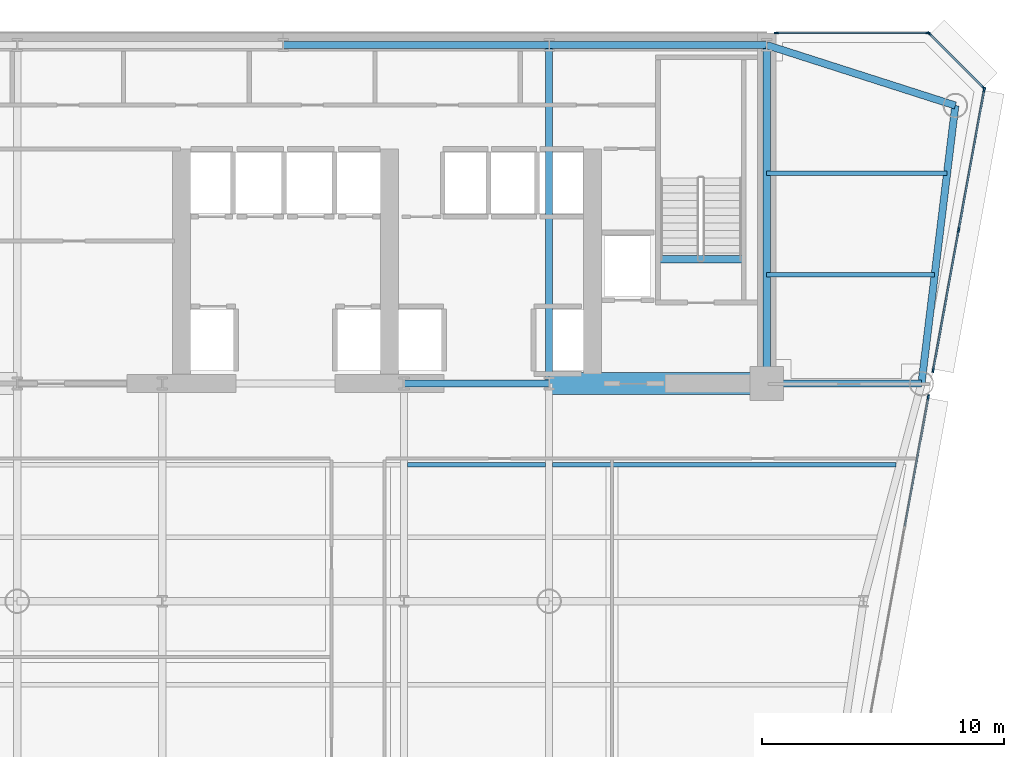
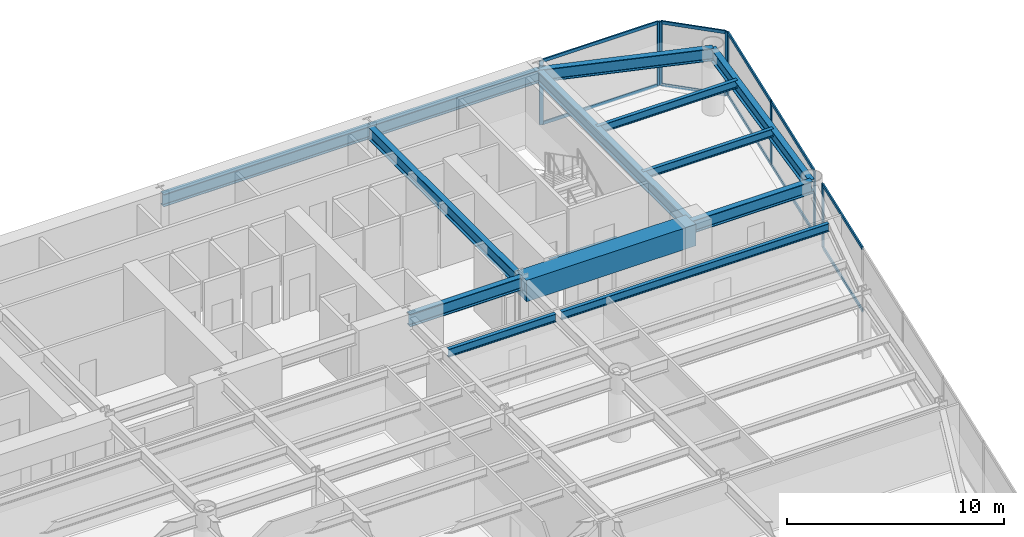
# One storey, part 6 of 14: 18 members, 14 beams, 4 elements without a shape of their own.
"""IFC4 building model written with IfcOpenShell, lengths in metres."""

from ifc_helpers import new_model, si_unit, direction, frame, origin, origin_2d, place, context, subcontext, project, spatial, rectangle, i_section, extrude, source, transform, mapped, material, layer, layer_set, material_profile, profile_set, type_object, element, aggregate, save


model = new_model("IFC4")

# Units and contexts
model_context = context("Model", 3, precision=1e-05, world=origin(), true_north=direction((0.0, 1.0)))
body_context = subcontext(model_context, "Body", "Model", "MODEL_VIEW")
ifc_project = project(units=[si_unit("LENGTHUNIT", "METRE"), si_unit("AREAUNIT", "SQUARE_METRE"), si_unit("VOLUMEUNIT", "CUBIC_METRE"), si_unit("PLANEANGLEUNIT", "RADIAN"), si_unit("MASSUNIT", "GRAM", prefix="KILO")], contexts=[model_context])

# Site, building, storey
site_placement = place(None, origin())
site = spatial("IfcSite", under=ifc_project, at=site_placement, CompositionType="ELEMENT")
building_placement = place(site_placement, origin())
building = spatial("IfcBuilding", under=site, at=building_placement, Name="Vaeldorn Concourse Tower", CompositionType="ELEMENT")
storey_placement = place(building_placement, frame((0.0, 0.0, 126.199951171875)))
storey = spatial("IfcBuildingStorey", under=building, at=storey_placement, Name="L32", CompositionType="ELEMENT", Elevation=126.199951171875)

# Beams
ifc_material_1 = material(Name="Concrete C60/75", Category="concrete")
ifc_material_profile_1 = material_profile(ifc_material_1, rectangle(XDim=0.89990234375, YDim=1.199951171875, at=origin_2d()), Name="RC 900x1200")
ifc_profile_set_1 = profile_set([ifc_material_profile_1], Name="Concrete C60/75")
beam_type_1 = type_object("IfcBeamType", Name="BM-CB-RC900", PredefinedType="BEAM", material=ifc_profile_set_1)
shared_shape_1 = source(origin(), body_context, "Body", "SweptSolid", [
    extrude(rectangle(XDim=0.89990234375, YDim=1.199951171875, at=origin_2d()), origin(), (0.0, 0.0, 1.0), 9.0),
])
beam_1_placement = place(storey_placement, frame((45.0, 36.5, 2.97998046875), z_axis=(1.0, 0.0, 0.0), x_axis=(0.0, 1.0, 0.0)))
element("IfcBeam", 1, at=beam_1_placement, inside=storey, type_object=beam_type_1, Name="Core Coupling Beam L32-2", PredefinedType="BEAM", context=body_context, shape_type="MappedRepresentation", body=[
    mapped(shared_shape_1, transform((0.0, 0.0, 0.0), scale=1.0)),
])
ifc_material_2 = material(Name="Steel S355", Category="steel")
ifc_material_profile_2 = material_profile(ifc_material_2, i_section(OverallWidth=0.300048828125, OverallDepth=0.340087890625, WebThickness=0.011962890625, FlangeThickness=0.021484375, FilletRadius=0.027099609375, at=origin_2d()), Name="HEB 340")
ifc_profile_set_2 = profile_set([ifc_material_profile_2], Name="Steel S355")
beam_type_2 = type_object("IfcBeamType", Name="BM-ST-TRIM", PredefinedType="BEAM", material=ifc_profile_set_2)
shared_shape_2 = source(origin(), body_context, "Body", "SweptSolid", [
    extrude(i_section(OverallWidth=0.300048828125, OverallDepth=0.340087890625, WebThickness=0.011962890625, FlangeThickness=0.021484375, FilletRadius=0.027099609375, at=origin_2d()), origin(), (0.0, 0.0, 1.0), 3.590087890625),
])
beam_2_placement = place(storey_placement, frame((49.47998046875, 41.639892578125, -0.389892578125), z_axis=(1.0, 0.0, 0.0), x_axis=(0.0, 1.0, 0.0)))
element("IfcBeam", 2, at=beam_2_placement, inside=storey, type_object=beam_type_2, Name="Stair Landing Trimmer Beam ST-2 L32", PredefinedType="BEAM", context=body_context, shape_type="MappedRepresentation", body=[
    mapped(shared_shape_2, transform((0.0, 0.0, 0.0), scale=1.0)),
])
ifc_material_profile_3 = material_profile(ifc_material_2, i_section(OverallWidth=0.300048828125, OverallDepth=0.699951171875, WebThickness=0.01708984375, FlangeThickness=0.031982421875, FilletRadius=0.027099609375, at=origin_2d()), Name="HEB 700")
ifc_profile_set_3 = profile_set([ifc_material_profile_3], Name="Steel S355")
beam_type_3 = type_object("IfcBeamType", Name="BM-PG-HEB700", PredefinedType="BEAM", material=ifc_profile_set_3)
shared_shape_3 = source(origin(), body_context, "Body", "SweptSolid", [
    extrude(i_section(OverallWidth=0.300048828125, OverallDepth=0.699951171875, WebThickness=0.01708984375, FlangeThickness=0.031982421875, FilletRadius=0.027099609375, at=origin_2d()), origin(), (0.0, 0.0, 1.0), 6.0),
])
beam_3_placement = place(storey_placement, frame((39.0, 36.5, 3.22998046875), z_axis=(1.0, 0.0, 0.0), x_axis=(0.0, 1.0, 0.0)))
element("IfcBeam", 3, at=beam_3_placement, inside=storey, type_object=beam_type_3, Name="Beam BM-L32-C-FC4-C-FC5", PredefinedType="BEAM", context=body_context, shape_type="MappedRepresentation", body=[
    mapped(shared_shape_3, transform((0.0, 0.0, 0.0), scale=1.0)),
])
shared_shape_4 = source(origin(), body_context, "Body", "SweptSolid", [
    extrude(i_section(OverallWidth=0.300048828125, OverallDepth=0.699951171875, WebThickness=0.01708984375, FlangeThickness=0.031982421875, FilletRadius=0.027099609375, at=origin_2d()), origin(), (0.0, 0.0, 1.0), 9.0),
])
beam_4_placement = place(storey_placement, frame((45.0, 50.5, 3.22998046875), z_axis=(1.0, 0.0, 0.0), x_axis=(0.0, 1.0, 0.0)))
element("IfcBeam", 4, at=beam_4_placement, inside=storey, type_object=beam_type_3, Name="Beam BM-L32-C-HC4-C-HC5", PredefinedType="BEAM", context=body_context, shape_type="MappedRepresentation", body=[
    mapped(shared_shape_4, transform((0.0, 0.0, 0.0), scale=1.0)),
])
shared_shape_5 = source(origin(), body_context, "Body", "SweptSolid", [
    extrude(i_section(OverallWidth=0.300048828125, OverallDepth=0.699951171875, WebThickness=0.01708984375, FlangeThickness=0.031982421875, FilletRadius=0.027099609375, at=origin_2d()), origin(), (0.0, 0.0, 1.0), 11.0),
])
beam_5_placement = place(storey_placement, frame((34.0, 50.5, 3.22998046875), z_axis=(1.0, 0.0, 0.0), x_axis=(0.0, 1.0, 0.0)))
element("IfcBeam", 5, at=beam_5_placement, inside=storey, type_object=beam_type_3, Name="Beam BM-L32-C-HC3-C-HC4", PredefinedType="BEAM", context=body_context, shape_type="MappedRepresentation", body=[
    mapped(shared_shape_5, transform((0.0, 0.0, 0.0), scale=1.0)),
])
shared_shape_6 = source(origin(), body_context, "Body", "SweptSolid", [
    extrude(i_section(OverallWidth=0.300048828125, OverallDepth=0.699951171875, WebThickness=0.01708984375, FlangeThickness=0.031982421875, FilletRadius=0.027099609375, at=origin_2d()), origin(), (0.0, 0.0, 1.0), 14.0),
])
for number, where, z_axis, x_axis, name in (
    (6, (45.0, 36.5, 3.22998046875), (0.0, 1.0, 0.0), (-1.0, 0.0, 0.0), "Beam BM-L32-C-FC5-C-HC4"),
    (7, (54.0, 36.5, 3.22998046875), (0.0, 1.0, 0.0), (-1.0, 0.0, 0.0), "Beam BM-L32-C-FC6-C-HC5"),
):
    element("IfcBeam", number, at=place(storey_placement, frame(where, z_axis=z_axis, x_axis=x_axis)), inside=storey, type_object=beam_type_3, Name=name, PredefinedType="BEAM", context=body_context, shape_type="MappedRepresentation", body=[
        mapped(shared_shape_6, transform((0.0, 0.0, 0.0), scale=1.0)),
    ])
shared_shape_7 = source(origin(), body_context, "Body", "SweptSolid", [
    extrude(i_section(OverallWidth=0.300048828125, OverallDepth=0.699951171875, WebThickness=0.01708984375, FlangeThickness=0.031982421875, FilletRadius=0.027099609375, at=origin_2d()), origin(), (0.0, 0.0, 1.0), 8.19091796875),
])
beam_6_placement = place(storey_placement, frame((54.0, 50.5, 3.22998046875), z_axis=(0.952282843383, -0.305216949396, 0.0), x_axis=(0.305216949396, 0.952282843383, 0.0)))
element("IfcBeam", 8, at=beam_6_placement, inside=storey, type_object=beam_type_3, Name="Beam BM-L32-C-HC5-C-NE1", PredefinedType="BEAM", context=body_context, shape_type="MappedRepresentation", body=[
    mapped(shared_shape_7, transform((0.0, 0.0, 0.0), scale=1.0)),
])
shared_shape_8 = source(origin(), body_context, "Body", "SweptSolid", [
    extrude(i_section(OverallWidth=0.300048828125, OverallDepth=0.699951171875, WebThickness=0.01708984375, FlangeThickness=0.031982421875, FilletRadius=0.027099609375, at=origin_2d()), origin(), (0.0, 0.0, 1.0), 11.5849609375),
])
beam_7_placement = place(storey_placement, frame((61.800048828125, 48.0, 3.22998046875), z_axis=(-0.120859382899, -0.992669637677, 0.0), x_axis=(0.992669637677, -0.120859382899, 0.0)))
element("IfcBeam", 9, at=beam_7_placement, inside=storey, type_object=beam_type_3, Name="Beam BM-L32-C-NE1-C-NE2", PredefinedType="BEAM", context=body_context, shape_type="MappedRepresentation", body=[
    mapped(shared_shape_8, transform((0.0, 0.0, 0.0), scale=1.0)),
])
shared_shape_9 = source(origin(), body_context, "Body", "SweptSolid", [
    extrude(i_section(OverallWidth=0.300048828125, OverallDepth=0.699951171875, WebThickness=0.01708984375, FlangeThickness=0.031982421875, FilletRadius=0.027099609375, at=origin_2d()), origin(), (0.0, 0.0, 1.0), 6.39990234375),
])
beam_8_placement = place(storey_placement, frame((54.0, 36.5, 3.22998046875), z_axis=(1.0, 0.0, 0.0), x_axis=(0.0, 1.0, 0.0)))
element("IfcBeam", 10, at=beam_8_placement, inside=storey, type_object=beam_type_3, Name="Beam BM-L32-C-FC6-C-NE2", PredefinedType="BEAM", context=body_context, shape_type="MappedRepresentation", body=[
    mapped(shared_shape_9, transform((0.0, 0.0, 0.0), scale=1.0)),
])
ifc_material_profile_4 = material_profile(ifc_material_2, i_section(OverallWidth=0.18994140625, OverallDepth=0.449951171875, WebThickness=0.009521484375, FlangeThickness=0.0146484375, FilletRadius=0.02099609375, at=origin_2d()), Name="IPE 450")
ifc_profile_set_4 = profile_set([ifc_material_profile_4], Name="Steel S355")
beam_type_4 = type_object("IfcBeamType", Name="BM-JS-IPE450", PredefinedType="JOIST", material=ifc_profile_set_4)
shared_shape_10 = source(origin(), body_context, "Body", "SweptSolid", [
    extrude(i_section(OverallWidth=0.18994140625, OverallDepth=0.449951171875, WebThickness=0.009521484375, FlangeThickness=0.0146484375, FilletRadius=0.02099609375, at=origin_2d()), origin(), (0.0, 0.0, 1.0), 5.7001953125),
])
beam_9_placement = place(storey_placement, frame((39.14990234375, 33.139892578125, 3.35498046875), z_axis=(1.0, 0.0, 0.0), x_axis=(0.0, 1.0, 0.0)))
element("IfcBeam", 11, at=beam_9_placement, inside=storey, type_object=beam_type_4, Name="Beam JS-L32-E2-331", PredefinedType="JOIST", context=body_context, shape_type="MappedRepresentation", body=[
    mapped(shared_shape_10, transform((0.0, 0.0, 0.0), scale=1.0)),
])
shared_shape_11 = source(origin(), body_context, "Body", "SweptSolid", [
    extrude(i_section(OverallWidth=0.18994140625, OverallDepth=0.449951171875, WebThickness=0.009521484375, FlangeThickness=0.0146484375, FilletRadius=0.02099609375, at=origin_2d()), origin(), (0.0, 0.0, 1.0), 14.2041015625),
])
beam_10_placement = place(storey_placement, frame((45.14990234375, 33.139892578125, 3.35498046875), z_axis=(1.0, 0.0, 0.0), x_axis=(0.0, 1.0, 0.0)))
element("IfcBeam", 12, at=beam_10_placement, inside=storey, type_object=beam_type_4, Name="Beam JS-L32-E1-331", PredefinedType="JOIST", context=body_context, shape_type="MappedRepresentation", body=[
    mapped(shared_shape_11, transform((0.0, 0.0, 0.0), scale=1.0)),
])
shared_shape_12 = source(origin(), body_context, "Body", "SweptSolid", [
    extrude(i_section(OverallWidth=0.18994140625, OverallDepth=0.449951171875, WebThickness=0.009521484375, FlangeThickness=0.0146484375, FilletRadius=0.02099609375, at=origin_2d()), origin(), (0.0, 0.0, 1.0), 6.94775390625),
])
beam_11_placement = place(storey_placement, frame((54.0, 41.0, 3.35498046875), z_axis=(1.0, 0.0, 0.0), x_axis=(0.0, 1.0, 0.0)))
element("IfcBeam", 13, at=beam_11_placement, inside=storey, type_object=beam_type_4, Name="Beam JS-L32-NE-410", PredefinedType="JOIST", context=body_context, shape_type="MappedRepresentation", body=[
    mapped(shared_shape_12, transform((0.0, 0.0, 0.0), scale=1.0)),
])
shared_shape_13 = source(origin(), body_context, "Body", "SweptSolid", [
    extrude(i_section(OverallWidth=0.18994140625, OverallDepth=0.449951171875, WebThickness=0.009521484375, FlangeThickness=0.0146484375, FilletRadius=0.02099609375, at=origin_2d()), origin(), (0.0, 0.0, 1.0), 7.458984375),
])
beam_12_placement = place(storey_placement, frame((54.0, 45.199951171875, 3.35498046875), z_axis=(1.0, 0.0, 0.0), x_axis=(0.0, 1.0, 0.0)))
element("IfcBeam", 14, at=beam_12_placement, inside=storey, type_object=beam_type_4, Name="Beam JS-L32-NE-452", PredefinedType="JOIST", context=body_context, shape_type="MappedRepresentation", body=[
    mapped(shared_shape_13, transform((0.0, 0.0, 0.0), scale=1.0)),
])

# Curtain wall, members
ifc_material_3 = material(Name="Anodised Bronze Aluminium", Category="aluminium")
ifc_layer = layer(ifc_material_3, 0.199951171875)
ifc_layer_set = layer_set([ifc_layer], Name="Anodised Bronze Aluminium")
curtain_wall_type = type_object("IfcCurtainWallType", Name="CW-SYS-02", PredefinedType="NOTDEFINED", material=ifc_layer_set)
curtain_wall_1_placement = place(storey_placement, origin())
curtain_wall_1 = element("IfcCurtainWall", 15, at=curtain_wall_1_placement, inside=storey, type_object=curtain_wall_type, Name="Unitised Curtain Wall CW-L32-E08-1", PredefinedType="NOTDEFINED")
ifc_material_profile_5 = material_profile(ifc_material_3, rectangle(XDim=0.074951171875, YDim=0.179931640625, at=origin_2d()), Name="CWT 75x180")
ifc_profile_set_5 = profile_set([ifc_material_profile_5], Name="Anodised Bronze Aluminium")
member_type_1 = type_object("IfcMemberType", Name="CWT-BRONZE-180", PredefinedType="USERDEFINED", material=ifc_profile_set_5)
shared_shape_14 = source(origin(), body_context, "Body", "SweptSolid", [
    extrude(rectangle(XDim=0.074951171875, YDim=0.179931640625, at=origin_2d()), origin(), (0.0, 0.0, 1.0), 3.10302734375),
])
member_1_placement = place(storey_placement, frame((62.947021484375, 48.7529296875, 0.03759765625), z_axis=(-0.707106781187, 0.707106781187, 0.0), x_axis=(-0.707106781187, -0.707106781187, 0.0)))
member_1 = element("IfcMember", 16, at=member_1_placement, type_object=member_type_1, Name="CW-02 transom 1.1", ObjectType="TRANSOM", PredefinedType="USERDEFINED", context=body_context, shape_type="MappedRepresentation", body=[
    mapped(shared_shape_14, transform((0.0, 0.0, 0.0), scale=1.0)),
])
member_2_placement = place(storey_placement, frame((62.947021484375, 48.7529296875, 3.54248046875), z_axis=(-0.707106781187, 0.707106781187, 0.0), x_axis=(-0.707106781187, -0.707106781187, 0.0)))
member_2 = element("IfcMember", 17, at=member_2_placement, type_object=member_type_1, Name="CW-02 transom 1.2", ObjectType="TRANSOM", PredefinedType="USERDEFINED", context=body_context, shape_type="MappedRepresentation", body=[
    mapped(shared_shape_14, transform((0.0, 0.0, 0.0), scale=1.0)),
])

# Curtain wall, member
curtain_wall_2_placement = place(storey_placement, origin())
curtain_wall_2 = element("IfcCurtainWall", 18, at=curtain_wall_2_placement, inside=storey, type_object=curtain_wall_type, Name="Unitised Curtain Wall CW-L32-E07-1", PredefinedType="NOTDEFINED")
ifc_material_profile_6 = material_profile(ifc_material_3, rectangle(XDim=0.074951171875, YDim=0.18994140625, at=origin_2d()), Name="CWM 75x190")
ifc_profile_set_6 = profile_set([ifc_material_profile_6], Name="Anodised Bronze Aluminium")
member_type_2 = type_object("IfcMemberType", Name="CWM-BRONZE-190", PredefinedType="MULLION", material=ifc_profile_set_6)
shared_shape_15 = source(origin(), body_context, "Body", "SweptSolid", [
    extrude(rectangle(XDim=0.074951171875, YDim=0.18994140625, at=origin_2d()), origin(), (0.0, 0.0, 1.0), 3.580078125),
])
member_3_placement = place(storey_placement, frame((60.681396484375, 35.945068359375, 0.0), z_axis=(0.0, 0.0, 1.0), x_axis=(-0.983874464726, 0.178860385943, 0.0)))
member_3 = element("IfcMember", 19, at=member_3_placement, type_object=member_type_2, Name="CW-02 mullion 7", PredefinedType="MULLION", context=body_context, shape_type="MappedRepresentation", body=[
    mapped(shared_shape_15, transform((0.0, 0.0, 0.0), scale=1.0)),
])

# Curtain wall, members
curtain_wall_3_placement = place(storey_placement, origin())
curtain_wall_3 = element("IfcCurtainWall", 20, at=curtain_wall_3_placement, inside=storey, type_object=curtain_wall_type, Name="Unitised Curtain Wall CW-L32-E07-2", PredefinedType="NOTDEFINED")
member_4_placement = place(storey_placement, frame((60.883056640625, 37.054931640625, 0.0), z_axis=(0.0, 0.0, 1.0), x_axis=(-0.983874356687, 0.178860980243, 0.0)))
member_4 = element("IfcMember", 21, at=member_4_placement, type_object=member_type_2, Name="CW-02 mullion 1", PredefinedType="MULLION", context=body_context, shape_type="MappedRepresentation", body=[
    mapped(shared_shape_15, transform((0.0, 0.0, 0.0), scale=1.0)),
])
member_5_placement = place(storey_placement, frame((61.938232421875, 42.85888671875, 0.0), z_axis=(0.0, 0.0, 1.0), x_axis=(-0.983874356687, 0.178860980243, 0.0)))
member_5 = element("IfcMember", 22, at=member_5_placement, type_object=member_type_2, Name="CW-02 mullion 2", PredefinedType="MULLION", context=body_context, shape_type="MappedRepresentation", body=[
    mapped(shared_shape_15, transform((0.0, 0.0, 0.0), scale=1.0)),
])
member_6_placement = place(storey_placement, frame((62.993408203125, 48.6630859375, 0.0), z_axis=(0.0, 0.0, 1.0), x_axis=(-0.983874356687, 0.178860980243, 0.0)))
member_6 = element("IfcMember", 23, at=member_6_placement, type_object=member_type_2, Name="CW-02 mullion 3", PredefinedType="MULLION", context=body_context, shape_type="MappedRepresentation", body=[
    mapped(shared_shape_15, transform((0.0, 0.0, 0.0), scale=1.0)),
])

# Member
member_7_placement = place(storey_placement, frame((62.973388671875, 48.7265625, 0.0), z_axis=(0.0, 0.0, 1.0), x_axis=(-0.707106781187, -0.707106781187, 0.0)))
member_7 = element("IfcMember", 24, at=member_7_placement, type_object=member_type_2, Name="CW-02 mullion 1", PredefinedType="MULLION", context=body_context, shape_type="MappedRepresentation", body=[
    mapped(shared_shape_15, transform((0.0, 0.0, 0.0), scale=1.0)),
])

member_8_placement = place(storey_placement, frame((60.7265625, 50.973388671875, 0.0), z_axis=(0.0, 0.0, 1.0), x_axis=(-0.707106781187, -0.707106781187, 0.0)))
member_8 = element("IfcMember", 25, at=member_8_placement, type_object=member_type_2, Name="CW-02 mullion 2", PredefinedType="MULLION", context=body_context, shape_type="MappedRepresentation", body=[
    mapped(shared_shape_15, transform((0.0, 0.0, 0.0), scale=1.0)),
])

aggregate(curtain_wall_1, [member_7, member_8, member_1, member_2])

# Curtain wall, members
curtain_wall_4_placement = place(storey_placement, origin())
curtain_wall_4 = element("IfcCurtainWall", 26, at=curtain_wall_4_placement, inside=storey, type_object=curtain_wall_type, Name="Unitised Curtain Wall CW-L32-E09-1", PredefinedType="NOTDEFINED")
member_9_placement = place(storey_placement, frame((60.66259765625, 51.0, 0.0), z_axis=(0.0, 0.0, 1.0), x_axis=(0.0, -1.0, 0.0)))
member_9 = element("IfcMember", 27, at=member_9_placement, type_object=member_type_2, Name="CW-02 mullion 1", PredefinedType="MULLION", context=body_context, shape_type="MappedRepresentation", body=[
    mapped(shared_shape_15, transform((0.0, 0.0, 0.0), scale=1.0)),
])
member_10_placement = place(storey_placement, frame((54.407470703125, 51.0, 0.0), z_axis=(0.0, 0.0, 1.0), x_axis=(0.0, -1.0, 0.0)))
member_10 = element("IfcMember", 28, at=member_10_placement, type_object=member_type_2, Name="CW-02 mullion 2", PredefinedType="MULLION", context=body_context, shape_type="MappedRepresentation", body=[
    mapped(shared_shape_15, transform((0.0, 0.0, 0.0), scale=1.0)),
])
shared_shape_16 = source(origin(), body_context, "Body", "SweptSolid", [
    extrude(rectangle(XDim=0.074951171875, YDim=0.179931640625, at=origin_2d()), origin(), (0.0, 0.0, 1.0), 6.179931640625),
])
member_11_placement = place(storey_placement, frame((60.625, 51.0, 0.03759765625), z_axis=(-1.0, 0.0, 0.0), x_axis=(0.0, -1.0, 0.0)))
member_11 = element("IfcMember", 29, at=member_11_placement, type_object=member_type_1, Name="CW-02 transom 1.1", ObjectType="TRANSOM", PredefinedType="USERDEFINED", context=body_context, shape_type="MappedRepresentation", body=[
    mapped(shared_shape_16, transform((0.0, 0.0, 0.0), scale=1.0)),
])
member_12_placement = place(storey_placement, frame((60.625, 51.0, 3.54248046875), z_axis=(-1.0, 0.0, 0.0), x_axis=(0.0, -1.0, 0.0)))
member_12 = element("IfcMember", 30, at=member_12_placement, type_object=member_type_1, Name="CW-02 transom 1.2", ObjectType="TRANSOM", PredefinedType="USERDEFINED", context=body_context, shape_type="MappedRepresentation", body=[
    mapped(shared_shape_16, transform((0.0, 0.0, 0.0), scale=1.0)),
])
aggregate(curtain_wall_4, [member_9, member_10, member_11, member_12])

# Member
shared_shape_17 = source(origin(), body_context, "Body", "SweptSolid", [
    extrude(rectangle(XDim=0.074951171875, YDim=0.179931640625, at=origin_2d()), origin(), (0.0, 0.0, 1.0), 5.82421875),
])
member_13_placement = place(storey_placement, frame((60.8896484375, 37.091796875, 0.03759765625), z_axis=(0.178866993951, 0.983873263421, 0.0), x_axis=(-0.983873263421, 0.178866993951, 0.0)))
member_13 = element("IfcMember", 31, at=member_13_placement, type_object=member_type_1, Name="CW-02 transom 1.1", ObjectType="TRANSOM", PredefinedType="USERDEFINED", context=body_context, shape_type="MappedRepresentation", body=[
    mapped(shared_shape_17, transform((0.0, 0.0, 0.0), scale=1.0)),
])

member_14_placement = place(storey_placement, frame((60.8896484375, 37.091796875, 3.54248046875), z_axis=(0.178866993951, 0.983873263421, 0.0), x_axis=(-0.983873263421, 0.178866993951, 0.0)))
member_14 = element("IfcMember", 32, at=member_14_placement, type_object=member_type_1, Name="CW-02 transom 1.2", ObjectType="TRANSOM", PredefinedType="USERDEFINED", context=body_context, shape_type="MappedRepresentation", body=[
    mapped(shared_shape_17, transform((0.0, 0.0, 0.0), scale=1.0)),
])

member_15_placement = place(storey_placement, frame((61.94482421875, 42.89599609375, 0.03759765625), z_axis=(0.178866993951, 0.983873263421, 0.0), x_axis=(-0.983873263421, 0.178866993951, 0.0)))
member_15 = element("IfcMember", 33, at=member_15_placement, type_object=member_type_1, Name="CW-02 transom 2.1", ObjectType="TRANSOM", PredefinedType="USERDEFINED", context=body_context, shape_type="MappedRepresentation", body=[
    mapped(shared_shape_17, transform((0.0, 0.0, 0.0), scale=1.0)),
])

member_16_placement = place(storey_placement, frame((61.94482421875, 42.89599609375, 3.54248046875), z_axis=(0.178866993951, 0.983873263421, 0.0), x_axis=(-0.983873263421, 0.178866993951, 0.0)))
member_16 = element("IfcMember", 34, at=member_16_placement, type_object=member_type_1, Name="CW-02 transom 2.2", ObjectType="TRANSOM", PredefinedType="USERDEFINED", context=body_context, shape_type="MappedRepresentation", body=[
    mapped(shared_shape_17, transform((0.0, 0.0, 0.0), scale=1.0)),
])

aggregate(curtain_wall_3, [member_4, member_5, member_6, member_13, member_14, member_15, member_16])

shared_shape_18 = source(origin(), body_context, "Body", "SweptSolid", [
    extrude(rectangle(XDim=0.074951171875, YDim=0.179931640625, at=origin_2d()), origin(), (0.0, 0.0, 1.0), 5.390625),
])
member_17_placement = place(storey_placement, frame((59.71044921875, 30.6044921875, 0.03759765625), z_axis=(0.17884956853, 0.983876431183, 0.0), x_axis=(-0.983876431183, 0.17884956853, 0.0)))
member_17 = element("IfcMember", 35, at=member_17_placement, type_object=member_type_1, Name="CW-02 transom 6.1", ObjectType="TRANSOM", PredefinedType="USERDEFINED", context=body_context, shape_type="MappedRepresentation", body=[
    mapped(shared_shape_18, transform((0.0, 0.0, 0.0), scale=1.0)),
])

member_18_placement = place(storey_placement, frame((59.71044921875, 30.6044921875, 3.54248046875), z_axis=(0.17884956853, 0.983876431183, 0.0), x_axis=(-0.983876431183, 0.17884956853, 0.0)))
member_18 = element("IfcMember", 36, at=member_18_placement, type_object=member_type_1, Name="CW-02 transom 6.2", ObjectType="TRANSOM", PredefinedType="USERDEFINED", context=body_context, shape_type="MappedRepresentation", body=[
    mapped(shared_shape_18, transform((0.0, 0.0, 0.0), scale=1.0)),
])

aggregate(curtain_wall_2, [member_3, member_17, member_18])

save(model, "model.ifc")
